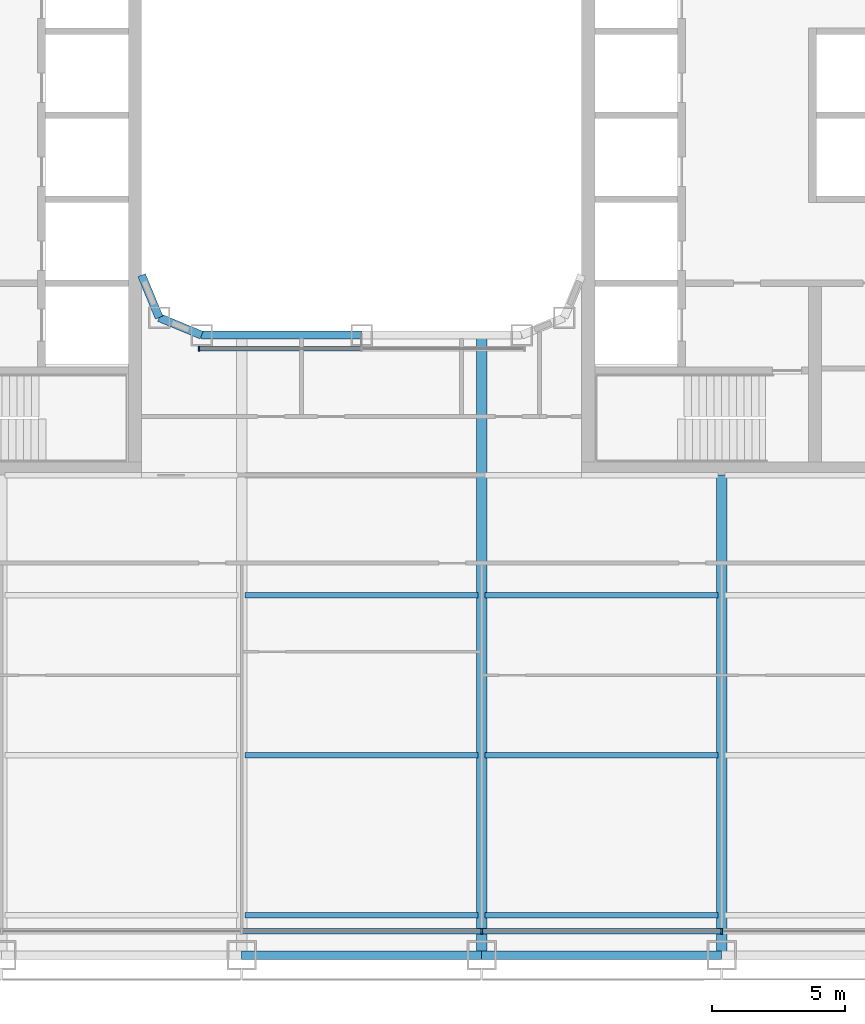
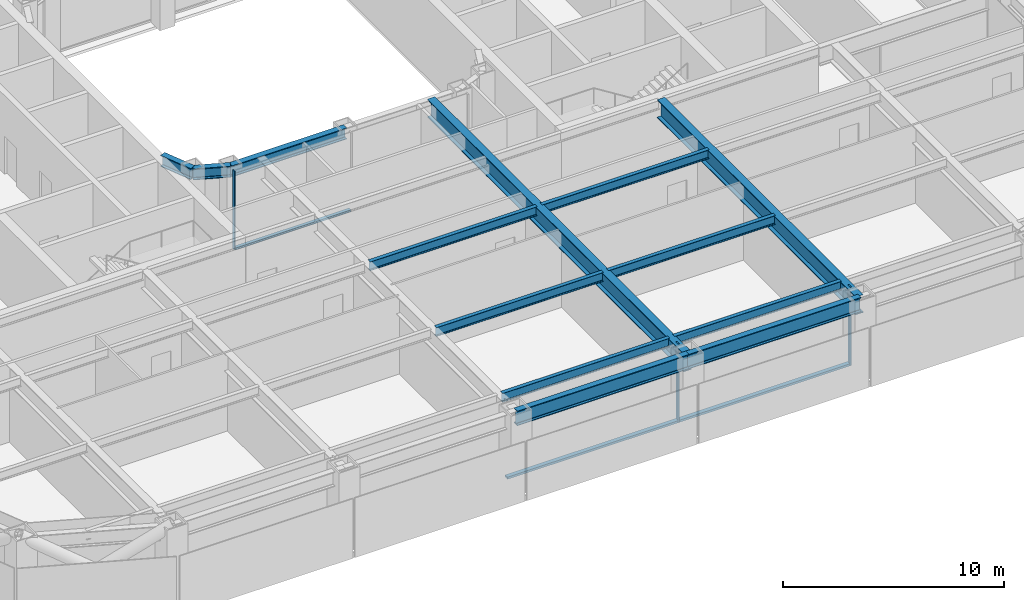
# One storey, part 3 of 29: 13 beams, 6 members, 2 elements without a shape of their own.
"""IFC4 building model written with IfcOpenShell, lengths in metres."""

from ifc_helpers import new_model, si_unit, direction, frame, origin, origin_2d, place, context, subcontext, project, spatial, rectangle, i_section, extrude, material, layer, layer_set, material_profile, profile_set, type_object, element, aggregate, save


model = new_model("IFC4")

# Units and contexts
model_context = context("Model", 3, precision=1e-05, world=origin(), true_north=direction((0.0, 1.0)))
body_context = subcontext(model_context, "Body", "Model", "MODEL_VIEW")
ifc_project = project(units=[si_unit("LENGTHUNIT", "METRE"), si_unit("AREAUNIT", "SQUARE_METRE"), si_unit("VOLUMEUNIT", "CUBIC_METRE"), si_unit("PLANEANGLEUNIT", "RADIAN"), si_unit("MASSUNIT", "GRAM", prefix="KILO")], contexts=[model_context])

# Site, building, storey
site_placement = place(None, origin())
site = spatial("IfcSite", under=ifc_project, at=site_placement, CompositionType="ELEMENT")
building_placement = place(site_placement, origin())
building = spatial("IfcBuilding", under=site, at=building_placement, Name="Siwar Civic Tower", CompositionType="ELEMENT")
storey_placement = place(building_placement, frame((0.0, 0.0, 49.199951171875)))
storey = spatial("IfcBuildingStorey", under=building, at=storey_placement, Name="L10", CompositionType="ELEMENT", Elevation=49.199951171875)

# Curtain wall, members
ifc_material_1 = material(Name="Aluminium and glass", Category="aluminium")
ifc_layer_1 = layer(ifc_material_1, 0.219970703125)
ifc_layer_set_1 = layer_set([ifc_layer_1], Name="Aluminium and glass")
curtain_wall_type_1 = type_object("IfcCurtainWallType", Name="ENV-CW-A", PredefinedType="NOTDEFINED", material=ifc_layer_set_1)
curtain_wall_1_placement = place(storey_placement, origin())
curtain_wall_1 = element("IfcCurtainWall", 1, at=curtain_wall_1_placement, inside=storey, type_object=curtain_wall_type_1, Name="Curtain wall A S", PredefinedType="NOTDEFINED")
ifc_material_2 = material(Name="Aluminium 6063-T6", Category="aluminium")
ifc_material_profile_1 = material_profile(ifc_material_2, rectangle(XDim=0.219970703125, YDim=0.070068359375, at=origin_2d()), Name="AL 220x70")
ifc_profile_set_1 = profile_set([ifc_material_profile_1], Name="Aluminium 6063-T6")
member_type_1 = type_object("IfcMemberType", Name="ENV-MULLION-A", PredefinedType="MULLION", material=ifc_profile_set_1)
member_1_placement = place(storey_placement, frame((4.5, -30.60009765625, 0.0), z_axis=(0.0, 0.0, 1.0), x_axis=(0.0, 1.0, 0.0)))
member_1 = element("IfcMember", 2, at=member_1_placement, type_object=member_type_1, Name="Mullion A S 4", PredefinedType="MULLION", context=body_context, shape_type="SweptSolid", body=[
    extrude(rectangle(XDim=0.219970703125, YDim=0.070068359375, at=origin_2d()), origin(), (0.0, 0.0, 1.0), 4.35009765625),
])
member_2_placement = place(storey_placement, frame((13.5, -30.60009765625, 0.0), z_axis=(0.0, 0.0, 1.0), x_axis=(0.0, 1.0, 0.0)))
member_2 = element("IfcMember", 3, at=member_2_placement, type_object=member_type_1, Name="Mullion A S 5", PredefinedType="MULLION", context=body_context, shape_type="SweptSolid", body=[
    extrude(rectangle(XDim=0.219970703125, YDim=0.070068359375, at=origin_2d()), origin(), (0.0, 0.0, 1.0), 4.35009765625),
])

# Curtain wall, member
ifc_material_3 = material(Name="Aluminium and glass", Category="aluminium")
ifc_layer_2 = layer(ifc_material_3, 0.179931640625)
ifc_layer_set_2 = layer_set([ifc_layer_2], Name="Aluminium and glass")
curtain_wall_type_2 = type_object("IfcCurtainWallType", Name="ENV-CW-W", PredefinedType="NOTDEFINED", material=ifc_layer_set_2)
curtain_wall_2_placement = place(storey_placement, origin())
curtain_wall_2 = element("IfcCurtainWall", 4, at=curtain_wall_2_placement, inside=storey, type_object=curtain_wall_type_2, Name="Curtain wall W WS", PredefinedType="NOTDEFINED")
ifc_material_4 = material(Name="Aluminium 6063-T6", Category="aluminium")
ifc_material_profile_2 = material_profile(ifc_material_4, rectangle(XDim=0.179931640625, YDim=0.06005859375, at=origin_2d()), Name="AL 180x60")
ifc_profile_set_2 = profile_set([ifc_material_profile_2], Name="Aluminium 6063-T6")
member_type_2 = type_object("IfcMemberType", Name="ENV-MULLION-W", PredefinedType="MULLION", material=ifc_profile_set_2)
member_3_placement = place(storey_placement, frame((-6.1015625, -8.760009765625, 0.0), z_axis=(0.0, 0.0, 1.0), x_axis=(0.0, 1.0, 0.0)))
member_3 = element("IfcMember", 5, at=member_3_placement, type_object=member_type_2, Name="Mullion W WS 1", PredefinedType="MULLION", context=body_context, shape_type="SweptSolid", body=[
    extrude(rectangle(XDim=0.179931640625, YDim=0.06005859375, at=origin_2d()), origin(), (0.0, 0.0, 1.0), 4.35009765625),
])

# Member
ifc_material_5 = material(Name="Aluminium 6063-T6", Category="aluminium")
ifc_material_profile_3 = material_profile(ifc_material_5, rectangle(XDim=0.219970703125, YDim=0.1201171875, at=origin_2d()), Name="AL 220x120")
ifc_profile_set_3 = profile_set([ifc_material_profile_3], Name="Aluminium 6063-T6")
member_type_3 = type_object("IfcMemberType", Name="ENV-TRANSOM-A", PredefinedType="USERDEFINED", material=ifc_profile_set_3)
member_4_placement = place(storey_placement, frame((-4.465087890625, -30.60009765625, 0.06005859375), z_axis=(1.0, 0.0, 0.0), x_axis=(0.0, 1.0, 0.0)))
member_4 = element("IfcMember", 6, at=member_4_placement, type_object=member_type_3, Name="Transom A S 3", ObjectType="TRANSOM", PredefinedType="USERDEFINED", context=body_context, shape_type="SweptSolid", body=[
    extrude(rectangle(XDim=0.219970703125, YDim=0.1201171875, at=origin_2d()), origin(), (0.0, 0.0, 1.0), 8.93017578125),
])

member_5_placement = place(storey_placement, frame((4.534912109375, -30.60009765625, 0.06005859375), z_axis=(1.0, 0.0, 0.0), x_axis=(0.0, 1.0, 0.0)))
member_5 = element("IfcMember", 7, at=member_5_placement, type_object=member_type_3, Name="Transom A S 4", ObjectType="TRANSOM", PredefinedType="USERDEFINED", context=body_context, shape_type="SweptSolid", body=[
    extrude(rectangle(XDim=0.219970703125, YDim=0.1201171875, at=origin_2d()), origin(), (0.0, 0.0, 1.0), 8.93017578125),
])

aggregate(curtain_wall_1, [member_1, member_2, member_4, member_5])

ifc_material_6 = material(Name="Aluminium 6063-T6", Category="aluminium")
ifc_material_profile_4 = material_profile(ifc_material_6, rectangle(XDim=0.179931640625, YDim=0.10009765625, at=origin_2d()), Name="AL 180x100")
ifc_profile_set_4 = profile_set([ifc_material_profile_4], Name="Aluminium 6063-T6")
member_type_4 = type_object("IfcMemberType", Name="ENV-TRANSOM-W", PredefinedType="USERDEFINED", material=ifc_profile_set_4)
member_6_placement = place(storey_placement, frame((-6.071533203125, -8.760009765625, 0.050048828125), z_axis=(1.0, 0.0, 0.0), x_axis=(0.0, 1.0, 0.0)))
member_6 = element("IfcMember", 8, at=member_6_placement, type_object=member_type_4, Name="Transom W WS 1", ObjectType="TRANSOM", PredefinedType="USERDEFINED", context=body_context, shape_type="SweptSolid", body=[
    extrude(rectangle(XDim=0.179931640625, YDim=0.10009765625, at=origin_2d()), origin(), (0.0, 0.0, 1.0), 6.04150390625),
])

aggregate(curtain_wall_2, [member_3, member_6])

# Beams
ifc_material_7 = material(Name="Steel S355", Category="steel")
ifc_material_profile_5 = material_profile(ifc_material_7, i_section(OverallWidth=0.199951171875, OverallDepth=0.5, WebThickness=0.01025390625, FlangeThickness=0.01611328125, FilletRadius=0.02099609375, at=origin_2d()), Name="IPE500")
ifc_profile_set_5 = profile_set([ifc_material_profile_5], Name="Steel S355")
beam_type_1 = type_object("IfcBeamType", Name="STR-FB-IPE500", PredefinedType="JOIST", material=ifc_profile_set_5)
for number, where, z_axis, x_axis, name in (
    (9, (-4.3701171875, -30.0, 4.10009765625), (1.0, 0.0, 0.0), (0.0, 1.0, 0.0), "L10/bm/F004"),
    (10, (4.6298828125, -30.0, 4.10009765625), (1.0, 0.0, 0.0), (0.0, 1.0, 0.0), "L10/bm/F005"),
    (11, (-4.3701171875, -24.0, 4.10009765625), (1.0, 0.0, 0.0), (0.0, 1.0, 0.0), "L10/bm/F011"),
    (12, (4.6298828125, -24.0, 4.10009765625), (1.0, 0.0, 0.0), (0.0, 1.0, 0.0), "L10/bm/F012"),
    (13, (-4.3701171875, -18.0, 4.10009765625), (1.0, 0.0, 0.0), (0.0, 1.0, 0.0), "L10/bm/F018"),
    (14, (4.6298828125, -18.0, 4.10009765625), (1.0, 0.0, 0.0), (0.0, 1.0, 0.0), "L10/bm/F019"),
):
    element("IfcBeam", number, at=place(storey_placement, frame(where, z_axis=z_axis, x_axis=x_axis)), inside=storey, type_object=beam_type_1, Name=name, PredefinedType="JOIST", context=body_context, shape_type="SweptSolid", body=[
        extrude(i_section(OverallWidth=0.199951171875, OverallDepth=0.5, WebThickness=0.01025390625, FlangeThickness=0.01611328125, FilletRadius=0.02099609375, at=origin_2d()), origin(), (0.0, 0.0, 1.0), 8.740234375),
    ])
ifc_material_8 = material(Name="Steel S355", Category="steel")
ifc_material_profile_6 = material_profile(ifc_material_8, i_section(OverallWidth=0.39990234375, OverallDepth=1.0, WebThickness=0.01611328125, FlangeThickness=0.0400390625, at=origin_2d()), Name="PG1000x400x16x40")
ifc_profile_set_6 = profile_set([ifc_material_profile_6], Name="Steel S355")
beam_type_2 = type_object("IfcBeamType", Name="STR-PG-PG1000x400x16x40", PredefinedType="BEAM", material=ifc_profile_set_6)
beam_1_placement = place(storey_placement, frame((4.5, -31.5, 3.85009765625), z_axis=(0.0, 1.0, 0.0), x_axis=(-1.0, 0.0, 0.0)))
element("IfcBeam", 15, at=beam_1_placement, inside=storey, type_object=beam_type_2, Name="L10/bm/G07", PredefinedType="BEAM", context=body_context, shape_type="SweptSolid", body=[
    extrude(i_section(OverallWidth=0.39990234375, OverallDepth=1.0, WebThickness=0.01611328125, FlangeThickness=0.0400390625, at=origin_2d()), origin(), (0.0, 0.0, 1.0), 23.25),
])
beam_2_placement = place(storey_placement, frame((13.5, -31.5, 3.85009765625), z_axis=(0.0, 1.0, 0.0), x_axis=(-1.0, 0.0, 0.0)))
element("IfcBeam", 16, at=beam_2_placement, inside=storey, type_object=beam_type_2, Name="L10/bm/G09", PredefinedType="BEAM", context=body_context, shape_type="SweptSolid", body=[
    extrude(i_section(OverallWidth=0.39990234375, OverallDepth=1.0, WebThickness=0.01611328125, FlangeThickness=0.0400390625, at=origin_2d()), origin(), (0.0, 0.0, 1.0), 18.0),
])
ifc_material_9 = material(Name="Steel S355", Category="steel")
ifc_material_profile_7 = material_profile(ifc_material_9, i_section(OverallWidth=0.304931640625, OverallDepth=0.6201171875, WebThickness=0.02099609375, FlangeThickness=0.0400390625, FilletRadius=0.027099609375, at=origin_2d()), Name="HEM600")
ifc_profile_set_7 = profile_set([ifc_material_profile_7], Name="Steel S355")
beam_type_3 = type_object("IfcBeamType", Name="STR-RB-HEM600", PredefinedType="BEAM", material=ifc_profile_set_7)
beam_3_placement = place(storey_placement, frame((-7.591064453125, -7.591064453125, 4.0400390625), z_axis=(0.923901072997, -0.382631424892, 0.0), x_axis=(0.382631424892, 0.923901072997, 0.0)))
element("IfcBeam", 17, at=beam_3_placement, inside=storey, type_object=beam_type_3, Name="L10/bm/RS0", PredefinedType="BEAM", context=body_context, shape_type="SweptSolid", body=[
    extrude(i_section(OverallWidth=0.304931640625, OverallDepth=0.6201171875, WebThickness=0.02099609375, FlangeThickness=0.0400390625, FilletRadius=0.027099609375, at=origin_2d()), origin(), (0.0, 0.0, 1.0), 1.72216796875),
])
beam_4_placement = place(storey_placement, frame((-6.0, -8.25, 4.0400390625), z_axis=(1.0, 0.0, 0.0), x_axis=(0.0, 1.0, 0.0)))
element("IfcBeam", 18, at=beam_4_placement, inside=storey, type_object=beam_type_3, Name="L10/bm/RS1", PredefinedType="BEAM", context=body_context, shape_type="SweptSolid", body=[
    extrude(i_section(OverallWidth=0.304931640625, OverallDepth=0.6201171875, WebThickness=0.02099609375, FlangeThickness=0.0400390625, FilletRadius=0.027099609375, at=origin_2d()), origin(), (0.0, 0.0, 1.0), 6.0),
])
beam_5_placement = place(storey_placement, frame((-7.591064453125, -7.591064453125, 4.0400390625), z_axis=(-0.382631424892, 0.923901072997, 0.0), x_axis=(-0.923901072997, -0.382631424892, 0.0)))
element("IfcBeam", 19, at=beam_5_placement, inside=storey, type_object=beam_type_3, Name="L10/bm/RSEW", PredefinedType="BEAM", context=body_context, shape_type="SweptSolid", body=[
    extrude(i_section(OverallWidth=0.304931640625, OverallDepth=0.6201171875, WebThickness=0.02099609375, FlangeThickness=0.0400390625, FilletRadius=0.027099609375, at=origin_2d()), origin(), (0.0, 0.0, 1.0), 1.72216796875),
])
ifc_material_10 = material(Name="Steel S355", Category="steel")
ifc_material_profile_8 = material_profile(ifc_material_10, i_section(OverallWidth=0.302978515625, OverallDepth=0.81396484375, WebThickness=0.02099609375, FlangeThickness=0.0400390625, FilletRadius=0.030029296875, at=origin_2d()), Name="HEM800")
ifc_profile_set_8 = profile_set([ifc_material_profile_8], Name="Steel S355")
beam_type_4 = type_object("IfcBeamType", Name="STR-SB-HEM800", PredefinedType="BEAM", material=ifc_profile_set_8)
for number, where, z_axis, x_axis, name in (
    (20, (-4.5, -31.5, 3.943115234375), (1.0, 0.0, 0.0), (0.0, 1.0, 0.0), "L10/bm/SS-2"),
    (21, (4.5, -31.5, 3.943115234375), (1.0, 0.0, 0.0), (0.0, 1.0, 0.0), "L10/bm/SS-3"),
):
    element("IfcBeam", number, at=place(storey_placement, frame(where, z_axis=z_axis, x_axis=x_axis)), inside=storey, type_object=beam_type_4, Name=name, PredefinedType="BEAM", context=body_context, shape_type="SweptSolid", body=[
        extrude(i_section(OverallWidth=0.302978515625, OverallDepth=0.81396484375, WebThickness=0.02099609375, FlangeThickness=0.0400390625, FilletRadius=0.030029296875, at=origin_2d()), origin(), (0.0, 0.0, 1.0), 9.0),
    ])

save(model, "model.ifc")
